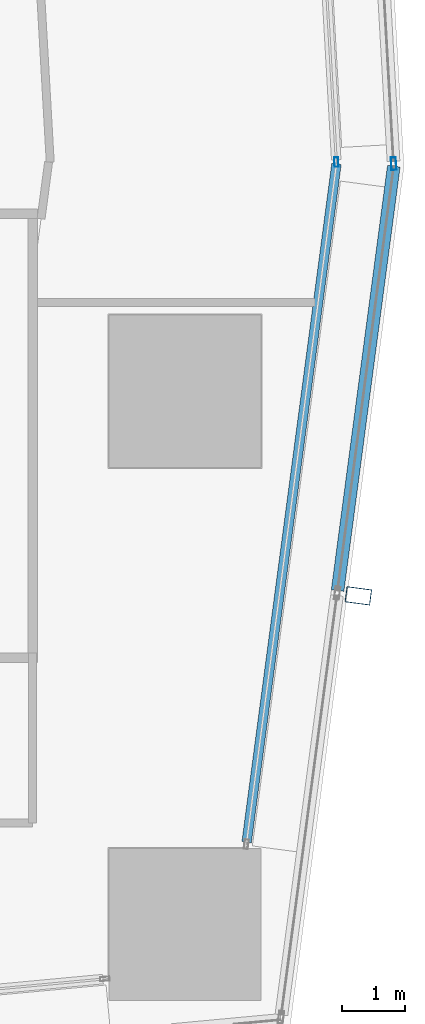
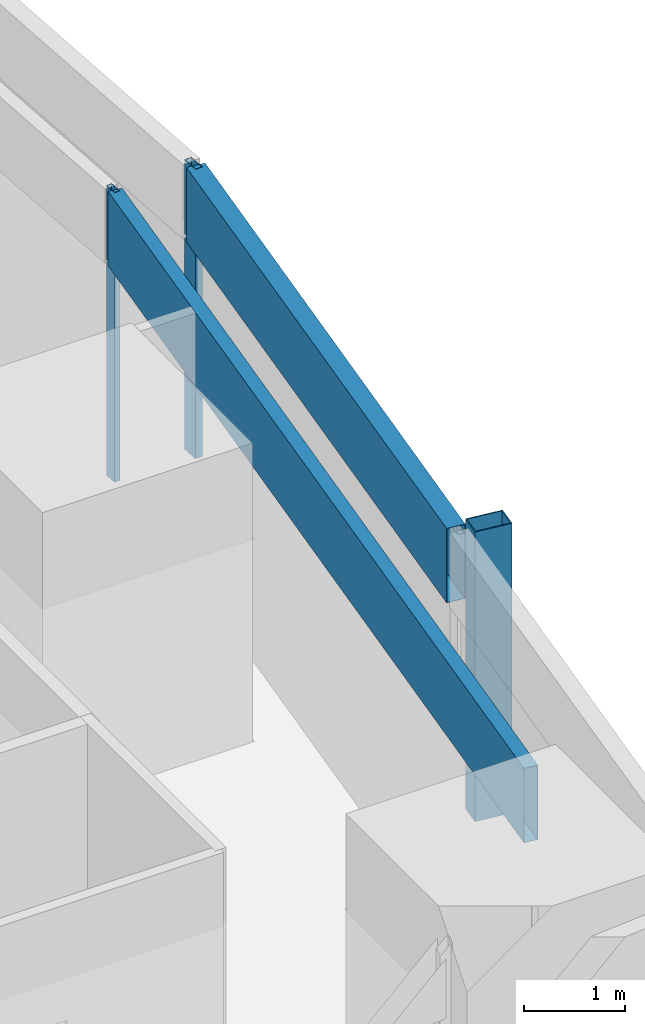
# One storey, part 11 of 37: 5 members, 4 elements without a shape of their own.
"""IFC4 building model written with IfcOpenShell, lengths in metres."""

from ifc_helpers import new_model, si_unit, direction, frame, origin, origin_2d, place, context, subcontext, project, spatial, hollow_rectangle, extrude, material, material_profile, profile_set, type_object, element, aggregate, save


model = new_model("IFC4")

# Units and contexts
model_context = context("Model", 3, precision=1e-05, world=origin(), true_north=direction((0.0, 1.0)))
body_context = subcontext(model_context, "Body", "Model", "MODEL_VIEW")
ifc_project = project(units=[si_unit("LENGTHUNIT", "METRE"), si_unit("AREAUNIT", "SQUARE_METRE"), si_unit("VOLUMEUNIT", "CUBIC_METRE"), si_unit("PLANEANGLEUNIT", "RADIAN"), si_unit("MASSUNIT", "GRAM", prefix="KILO")], contexts=[model_context])

# Site, building, storey
site_placement = place(None, origin())
site = spatial("IfcSite", under=ifc_project, at=site_placement, CompositionType="ELEMENT")
building_placement = place(site_placement, origin())
building = spatial("IfcBuilding", under=site, at=building_placement, Name="Rekha Terrace Tower", CompositionType="ELEMENT")
storey_placement = place(building_placement, frame((0.0, 0.0, 232.699951171875)))
storey = spatial("IfcBuildingStorey", under=building, at=storey_placement, Name="L59", CompositionType="ELEMENT", Elevation=232.699951171875)

# Curtain wall, member
ifc_material_1 = material(Name="Aluminium framing", Category="aluminium")
curtain_wall_type_1 = type_object("IfcCurtainWallType", Name="CW2 double skin outer glazing", PredefinedType="USERDEFINED", material=ifc_material_1)
curtain_wall_1_placement = place(storey_placement, origin())
curtain_wall_1 = element("IfcCurtainWall", 1, at=curtain_wall_1_placement, inside=storey, type_object=curtain_wall_type_1, Name="CW2 double skin outer glazing", ObjectType="DOUBLE SKIN OUTER GLAZING", PredefinedType="USERDEFINED")
ifc_material_2 = material(Name="Steel S355 with fluorocarbon finish", Category="steel")
ifc_material_profile_1 = material_profile(ifc_material_2, hollow_rectangle(XDim=0.25, YDim=0.39990234375, WallThickness=0.012451171875, at=origin_2d()), Name="RHS400x250x12.5")
ifc_profile_set_1 = profile_set([ifc_material_profile_1], Name="Steel S355 with fluorocarbon finish")
member_type_1 = type_object("IfcMemberType", Name="BL1 facade blade RHS 400 x 250", PredefinedType="USERDEFINED", material=ifc_profile_set_1)
member_1_placement = place(storey_placement, frame((61.531005859375, 21.977783203125, 0.0), z_axis=(0.0, 0.0, 1.0), x_axis=(0.131303100637, 0.991342269735, 0.0)))
member_1 = element("IfcMember", 2, at=member_1_placement, type_object=member_type_1, Name="Facade blade", ObjectType="FACADE BLADE", PredefinedType="USERDEFINED", context=body_context, shape_type="SweptSolid", body=[
    extrude(hollow_rectangle(XDim=0.25, YDim=0.39990234375, WallThickness=0.012451171875, at=origin_2d()), origin(), (0.0, 0.0, 1.0), 3.5),
])

curtain_wall_type_2 = type_object("IfcCurtainWallType", Name="CW1 double skin inner glazing", PredefinedType="USERDEFINED", material=ifc_material_1)
curtain_wall_2_placement = place(storey_placement, origin())
curtain_wall_2 = element("IfcCurtainWall", 3, at=curtain_wall_2_placement, inside=storey, type_object=curtain_wall_type_2, Name="CW1 double skin inner glazing", ObjectType="DOUBLE SKIN INNER GLAZING", PredefinedType="USERDEFINED")
ifc_material_3 = material(Name="Aluminium mullion section", Category="aluminium")
ifc_material_profile_2 = material_profile(ifc_material_3, hollow_rectangle(XDim=0.06494140625, YDim=0.14990234375, WallThickness=0.00390625, at=origin_2d()), Name="AL RHS 65x150")
ifc_profile_set_2 = profile_set([ifc_material_profile_2], Name="Aluminium mullion section")
member_type_2 = type_object("IfcMemberType", Name="CW1 mullion RHS 65 x 150", PredefinedType="MULLION", material=ifc_profile_set_2)
member_2_placement = place(storey_placement, frame((61.18408203125, 28.812255859375, 0.0), z_axis=(0.0, 0.0, 1.0), x_axis=(-0.998392782918, -0.056673194877, 0.0)))
member_2 = element("IfcMember", 4, at=member_2_placement, type_object=member_type_2, Name="CW1 mullion 1", PredefinedType="MULLION", context=body_context, shape_type="SweptSolid", body=[
    extrude(hollow_rectangle(XDim=0.06494140625, YDim=0.14990234375, WallThickness=0.00390625, at=origin_2d()), origin(), (0.0, 0.0, 1.0), 3.5),
])
aggregate(curtain_wall_2, [member_2])

curtain_wall_3_placement = place(storey_placement, origin())
curtain_wall_3 = element("IfcCurtainWall", 5, at=curtain_wall_3_placement, inside=storey, type_object=curtain_wall_type_2, Name="CW1 double skin inner glazing", ObjectType="DOUBLE SKIN INNER GLAZING", PredefinedType="USERDEFINED")
ifc_material_4 = material(Name="Insulated aluminium spandrel box", Category="aluminium")
ifc_material_profile_3 = material_profile(ifc_material_4, hollow_rectangle(XDim=0.14990234375, YDim=0.89990234375, WallThickness=0.0029296875, at=origin_2d()), Name="AL SPANDREL BOX 150x900")
ifc_profile_set_3 = profile_set([ifc_material_profile_3], Name="Insulated aluminium spandrel box")
member_type_3 = type_object("IfcMemberType", Name="CW1 spandrel transom 150 x 900", PredefinedType="USERDEFINED", material=ifc_profile_set_3)
member_3_placement = place(storey_placement, frame((59.77099609375, 18.0966796875, 3.050048828125), z_axis=(0.131308911163, 0.991341500114, 0.0), x_axis=(-0.991341500114, 0.131308911163, 0.0)))
member_3 = element("IfcMember", 6, at=member_3_placement, type_object=member_type_3, Name="CW1 spandrel transom 1", ObjectType="TRANSOM", PredefinedType="USERDEFINED", context=body_context, shape_type="SweptSolid", body=[
    extrude(hollow_rectangle(XDim=0.14990234375, YDim=0.89990234375, WallThickness=0.0029296875, at=origin_2d()), origin(), (0.0, 0.0, 1.0), 10.7763671875),
])
aggregate(curtain_wall_3, [member_3])

curtain_wall_4_placement = place(storey_placement, origin())
curtain_wall_4 = element("IfcCurtainWall", 7, at=curtain_wall_4_placement, inside=storey, type_object=curtain_wall_type_1, Name="CW2 double skin outer glazing", ObjectType="DOUBLE SKIN OUTER GLAZING", PredefinedType="USERDEFINED")
ifc_material_profile_4 = material_profile(ifc_material_3, hollow_rectangle(XDim=0.080078125, YDim=0.199951171875, WallThickness=0.00390625, at=origin_2d()), Name="AL RHS 80x200")
ifc_profile_set_4 = profile_set([ifc_material_profile_4], Name="Aluminium mullion section")
member_type_4 = type_object("IfcMemberType", Name="CW2 mullion RHS 80 x 200", PredefinedType="MULLION", material=ifc_profile_set_4)
member_4_placement = place(storey_placement, frame((62.087158203125, 28.785888671875, 0.0), z_axis=(0.0, 0.0, 1.0), x_axis=(-0.998392782919, -0.05667319486, 0.0)))
member_4 = element("IfcMember", 8, at=member_4_placement, type_object=member_type_4, Name="CW2 mullion 1", PredefinedType="MULLION", context=body_context, shape_type="SweptSolid", body=[
    extrude(hollow_rectangle(XDim=0.080078125, YDim=0.199951171875, WallThickness=0.00390625, at=origin_2d()), origin(), (0.0, 0.0, 1.0), 3.5),
])
aggregate(curtain_wall_4, [member_4])

# Member
ifc_material_profile_5 = material_profile(ifc_material_4, hollow_rectangle(XDim=0.199951171875, YDim=0.89990234375, WallThickness=0.0029296875, at=origin_2d()), Name="AL SPANDREL BOX 200x900")
ifc_profile_set_5 = profile_set([ifc_material_profile_5], Name="Insulated aluminium spandrel box")
member_type_5 = type_object("IfcMemberType", Name="CW2 spandrel transom 200 x 900", PredefinedType="USERDEFINED", material=ifc_profile_set_5)
member_5_placement = place(storey_placement, frame((61.2041015625, 22.0615234375, 3.050048828125), z_axis=(0.131286165193, 0.991344512684, 0.0), x_axis=(-0.991344512684, 0.131286165193, 0.0)))
member_5 = element("IfcMember", 9, at=member_5_placement, type_object=member_type_5, Name="CW2 spandrel transom 2", ObjectType="TRANSOM", PredefinedType="USERDEFINED", context=body_context, shape_type="SweptSolid", body=[
    extrude(hollow_rectangle(XDim=0.199951171875, YDim=0.89990234375, WallThickness=0.0029296875, at=origin_2d()), origin(), (0.0, 0.0, 1.0), 6.742919921875),
])

aggregate(curtain_wall_1, [member_5, member_1])

save(model, "model.ifc")
